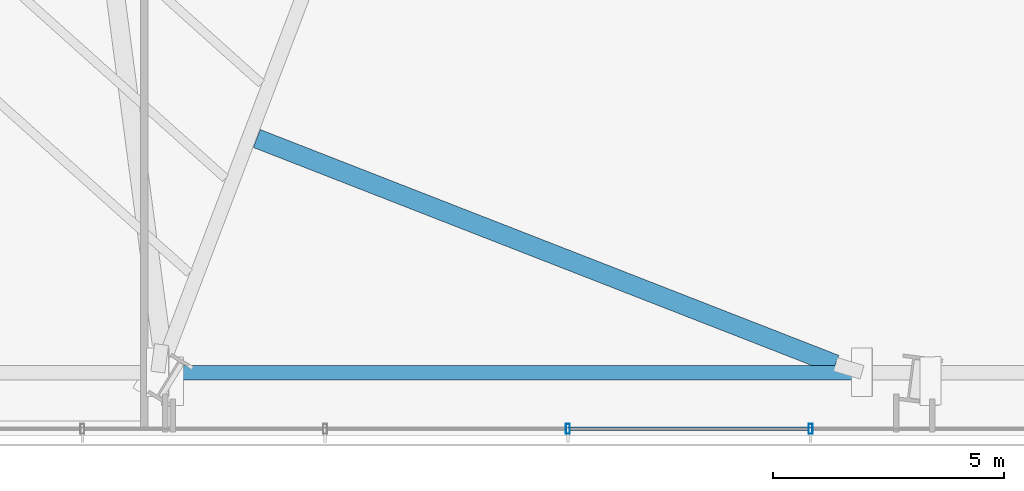
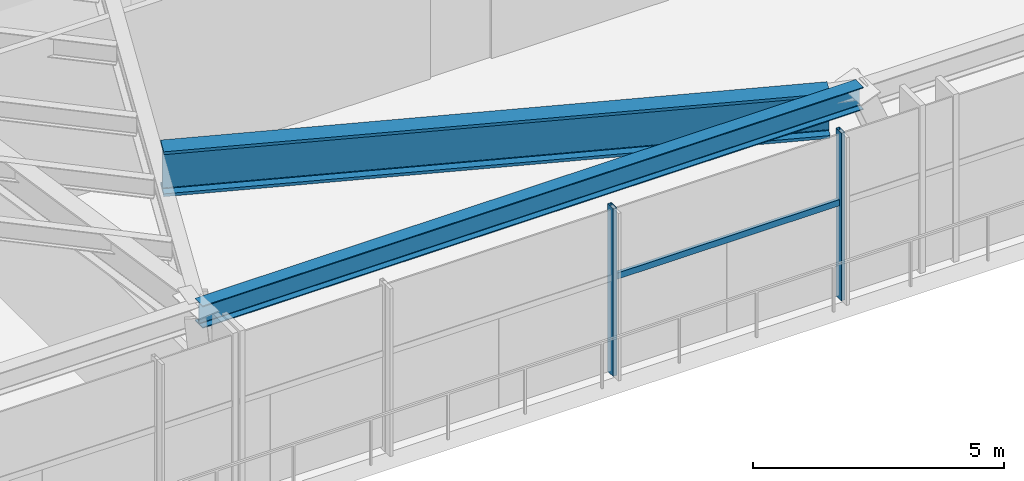
# One storey, part 7 of 30: 3 members, 2 beams, 1 element without a shape of its own.
"""IFC4 building model written with IfcOpenShell, lengths in metres."""

from ifc_helpers import new_model, si_unit, direction, frame, origin, origin_2d, place, context, subcontext, project, spatial, hollow_rectangle, i_section, extrude, source, transform, mapped, material, material_profile, profile_set, type_object, type_shapes, element, aggregate, save


model = new_model("IFC4")

# Units and contexts
model_context = context("Model", 3, precision=1e-05, world=origin(), true_north=direction((0.0, 1.0)))
body_context = subcontext(model_context, "Body", "Model", "MODEL_VIEW")
ifc_project = project(units=[si_unit("LENGTHUNIT", "METRE"), si_unit("AREAUNIT", "SQUARE_METRE"), si_unit("VOLUMEUNIT", "CUBIC_METRE"), si_unit("PLANEANGLEUNIT", "RADIAN"), si_unit("MASSUNIT", "GRAM", prefix="KILO")], contexts=[model_context])

# Site, building, storey
site_placement = place(None, origin())
site = spatial("IfcSite", under=ifc_project, at=site_placement, CompositionType="ELEMENT")
building_placement = place(site_placement, origin())
building = spatial("IfcBuilding", under=site, at=building_placement, Name="Astriad Promenade Condominiums", CompositionType="ELEMENT")
storey_placement = place(building_placement, frame((0.0, 0.0, 14.0)))
storey = spatial("IfcBuildingStorey", under=building, at=storey_placement, Name="L03", CompositionType="ELEMENT", Elevation=14.0)

# Beams
ifc_material_1 = material(Name="Steel ASTM A992 Grade 50", Category="steel")
ifc_material_profile_1 = material_profile(ifc_material_1, i_section(OverallWidth=0.3134765625, OverallDepth=0.54638671875, WebThickness=0.013916015625, FlangeThickness=0.022216796875, FilletRadius=0.0166015625, at=origin_2d()), Name="W21X111")
ifc_profile_set_1 = profile_set([ifc_material_profile_1], Name="Steel ASTM A992 Grade 50")
beam_type_1 = type_object("IfcBeamType", Name="STEEL SPANDREL BEAM W21X111", PredefinedType="SPANDREL", material=ifc_profile_set_1)
shared_shape_1 = source(origin(), body_context, "Body", "SweptSolid", [
    extrude(i_section(OverallWidth=0.3134765625, OverallDepth=0.54638671875, WebThickness=0.013916015625, FlangeThickness=0.022216796875, FilletRadius=0.0166015625, at=origin_2d()), origin(), (0.0, 0.0, 1.0), 15.2119140625),
])
type_shapes(beam_type_1, [shared_shape_1])
beam_1_placement = place(storey_placement, frame((20.851806640625, 2.7666015625, 3.806884765625), z_axis=(1.0, 0.0, 0.0), x_axis=(0.0, 1.0, 0.0)))
element("IfcBeam", 1, at=beam_1_placement, inside=storey, type_object=beam_type_1, Name="Perimeter Spandrel Beam SP-S2-L03", PredefinedType="SPANDREL", context=body_context, shape_type="MappedRepresentation", body=[
    mapped(shared_shape_1, transform((0.0, 0.0, 0.0), scale=1.0)),
])
ifc_material_profile_2 = material_profile(ifc_material_1, i_section(OverallWidth=0.4169921875, OverallDepth=1.093505859375, WebThickness=0.0390625, FlangeThickness=0.070068359375, FilletRadius=0.025390625, at=origin_2d()), Name="W40X503")
ifc_profile_set_2 = profile_set([ifc_material_profile_2], Name="Steel ASTM A992 Grade 50")
beam_type_2 = type_object("IfcBeamType", Name="STEEL TRANSFER GIRDER W40X503", PredefinedType="BEAM", material=ifc_profile_set_2)
shared_shape_2 = source(origin(), body_context, "Body", "SweptSolid", [
    extrude(i_section(OverallWidth=0.4169921875, OverallDepth=1.093505859375, WebThickness=0.0390625, FlangeThickness=0.070068359375, FilletRadius=0.025390625, at=origin_2d()), origin(), (0.0, 0.0, 1.0), 13.443115234375),
])
type_shapes(beam_type_2, [shared_shape_2])
beam_2_placement = place(storey_placement, frame((22.934326171875, 7.833984375, 3.533203125), z_axis=(0.931562617444, -0.36358092604, 0.0), x_axis=(0.36358092604, 0.931562617444, 0.0)))
element("IfcBeam", 2, at=beam_2_placement, inside=storey, type_object=beam_type_2, Name="Transfer Splice Carrier TRM-SP-PC03-L03", PredefinedType="BEAM", context=body_context, shape_type="MappedRepresentation", body=[
    mapped(shared_shape_2, transform((0.0, 0.0, 0.0), scale=1.0)),
])

# Curtain wall, members
ifc_material_2 = material(Name="Anodised aluminium Black Dark Glass Unitised", Category="aluminium")
curtain_wall_type = type_object("IfcCurtainWallType", Name="CW-POD-DARK", PredefinedType="USERDEFINED", material=ifc_material_2)
curtain_wall_placement = place(storey_placement, origin())
curtain_wall = element("IfcCurtainWall", 3, at=curtain_wall_placement, inside=storey, type_object=curtain_wall_type, Name="CW-L03-S", ObjectType="UNITISED_CURTAIN_WALL", PredefinedType="USERDEFINED")
ifc_material_3 = material(Name="Anodised aluminium 6063-T6 Black", Category="aluminium")
ifc_material_profile_3 = material_profile(ifc_material_3, hollow_rectangle(XDim=0.0849609375, YDim=0.219970703125, WallThickness=0.0048828125, at=origin_2d()), Name="ALU-MUL-85X220")
ifc_profile_set_3 = profile_set([ifc_material_profile_3], Name="Anodised aluminium 6063-T6 Black")
member_type_1 = type_object("IfcMemberType", Name="MUL-ALU-MUL-85X220", PredefinedType="MULLION", material=ifc_profile_set_3)
shared_shape_3 = source(origin(), body_context, "Body", "SweptSolid", [
    extrude(hollow_rectangle(XDim=0.0849609375, YDim=0.219970703125, WallThickness=0.0048828125, at=origin_2d()), origin(), (0.0, 0.0, 1.0), 4.080078125),
])
type_shapes(member_type_1, [shared_shape_3])
member_1_placement = place(storey_placement, frame((34.922607421875, 1.550048828125, 0.0), z_axis=(0.0, 0.0, 1.0), x_axis=(1.0, 0.0, 0.0)))
member_1 = element("IfcMember", 4, at=member_1_placement, type_object=member_type_1, Name="CW-L03-S-MUL-06", PredefinedType="MULLION", context=body_context, shape_type="MappedRepresentation", body=[
    mapped(shared_shape_3, transform((0.0, 0.0, 0.0), scale=1.0)),
])
member_2_placement = place(storey_placement, frame((29.668212890625, 1.550048828125, 0.0), z_axis=(0.0, 0.0, 1.0), x_axis=(1.0, 0.0, 0.0)))
member_2 = element("IfcMember", 5, at=member_2_placement, type_object=member_type_1, Name="CW-L03-S-MUL-07", PredefinedType="MULLION", context=body_context, shape_type="MappedRepresentation", body=[
    mapped(shared_shape_3, transform((0.0, 0.0, 0.0), scale=1.0)),
])
ifc_material_profile_4 = material_profile(ifc_material_3, hollow_rectangle(XDim=0.074951171875, YDim=0.14990234375, WallThickness=0.004150390625, at=origin_2d()), Name="ALU-TRN-75X150")
ifc_profile_set_4 = profile_set([ifc_material_profile_4], Name="Anodised aluminium 6063-T6 Black")
member_type_2 = type_object("IfcMemberType", Name="TRN-ALU-TRN-75X150", PredefinedType="USERDEFINED", material=ifc_profile_set_4)
shared_shape_4 = source(origin(), body_context, "Body", "SweptSolid", [
    extrude(hollow_rectangle(XDim=0.074951171875, YDim=0.14990234375, WallThickness=0.004150390625, at=origin_2d()), origin(), (0.0, 0.0, 1.0), 5.25439453125),
])
type_shapes(member_type_2, [shared_shape_4])
member_3_placement = place(storey_placement, frame((34.922607421875, 1.550048828125, 2.35009765625), z_axis=(-1.0, 0.0, 0.0), x_axis=(0.0, -1.0, 0.0)))
member_3 = element("IfcMember", 6, at=member_3_placement, type_object=member_type_2, Name="CW-L03-S-TRN-06-0", ObjectType="TRANSOM", PredefinedType="USERDEFINED", context=body_context, shape_type="MappedRepresentation", body=[
    mapped(shared_shape_4, transform((0.0, 0.0, 0.0), scale=1.0)),
])
aggregate(curtain_wall, [member_1, member_2, member_3])

save(model, "model.ifc")
